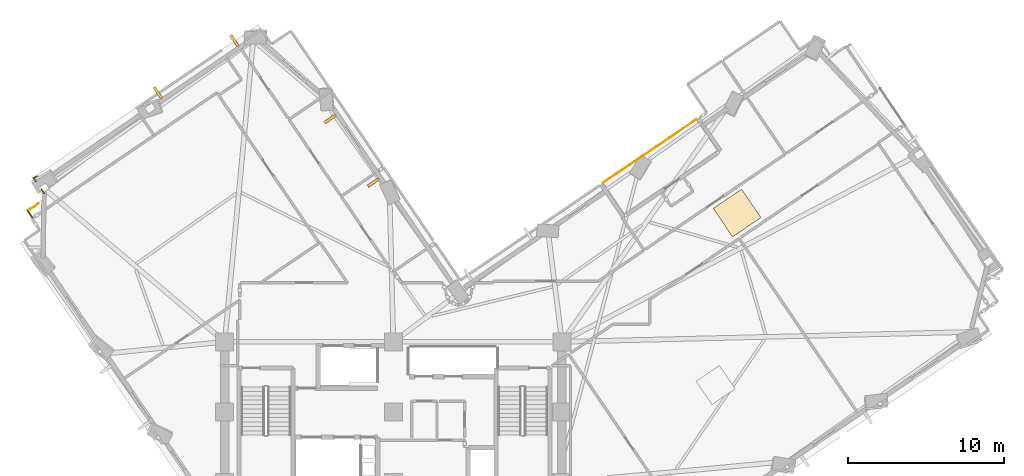
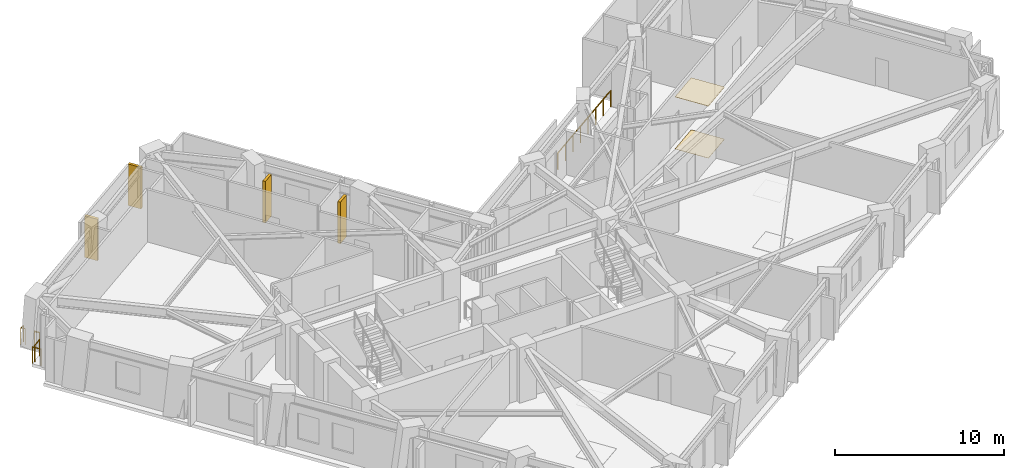
# One storey, part 15 of 16: 5 railings, 4 shading devices, 2 coverings.
"""IFC4 building model written with IfcOpenShell, lengths in metres."""

from ifc_helpers import new_model, si_unit, direction, frame, origin, origin_2d, place, context, subcontext, project, spatial, rectangle, circle, extrude, material, layer, layer_set, type_object, element, save


model = new_model("IFC4")

# Units and contexts
model_context = context("Model", 3, precision=1e-05, world=origin(), true_north=direction((0.0, 1.0)))
body_context = subcontext(model_context, "Body", "Model", "MODEL_VIEW")
ifc_project = project(units=[si_unit("LENGTHUNIT", "METRE"), si_unit("AREAUNIT", "SQUARE_METRE"), si_unit("VOLUMEUNIT", "CUBIC_METRE"), si_unit("PLANEANGLEUNIT", "RADIAN"), si_unit("MASSUNIT", "GRAM", prefix="KILO")], contexts=[model_context])

# Site, building, storey
site_placement = place(None, origin())
site = spatial("IfcSite", under=ifc_project, at=site_placement, CompositionType="ELEMENT")
building_placement = place(site_placement, origin())
building = spatial("IfcBuilding", under=site, at=building_placement, Name="Gaonmaruhae Medical Tower", CompositionType="ELEMENT")
storey_placement = place(building_placement, frame((0.0, 0.0, 169.800048828125)))
storey = spatial("IfcBuildingStorey", under=building, at=storey_placement, Name="L40", CompositionType="ELEMENT", Elevation=169.800048828125)

# Coverings
ifc_material_1 = material(Name="Acoustic mineral ceiling tile", Category="finish")
ifc_layer_1 = layer(ifc_material_1, 0.02490234375)
ifc_layer_set_1 = layer_set([ifc_layer_1], Name="Acoustic mineral ceiling tile")
covering_type_1 = type_object("IfcCoveringType", Name="CLG-01 Antimicrobial Acoustic Mineral Ceiling", PredefinedType="CEILING", material=ifc_layer_set_1)
covering_1_placement = place(storey_placement, frame((46.8203125, 25.048828125, 3.7548828125), z_axis=(0.0, 0.0, 1.0), x_axis=(0.827080574275, 0.562083377852, 0.0)))
element("IfcCovering", 1, at=covering_1_placement, inside=storey, type_object=covering_type_1, Name="L40 Clinical Corridor Acoustic Ceiling", PredefinedType="CEILING", context=body_context, shape_type="SweptSolid", body=[
    extrude(rectangle(XDim=2.199951171875, YDim=2.199951171875, at=origin_2d()), origin(), (0.0, 0.0, 1.0), 0.02490234375),
])
ifc_material_2 = material(Name="Seamless clinical vinyl flooring", Category="finish")
ifc_layer_2 = layer(ifc_material_2, 0.014892578125)
ifc_layer_set_2 = layer_set([ifc_layer_2], Name="Seamless clinical vinyl flooring")
covering_type_2 = type_object("IfcCoveringType", Name="FLR-01 Seamless Clinical Antistatic Vinyl Flooring", PredefinedType="FLOORING", material=ifc_layer_set_2)
covering_2_placement = place(storey_placement, frame((46.8203125, 25.048828125, 0.00048828125), z_axis=(0.0, 0.0, 1.0), x_axis=(0.827080574275, 0.562083377852, 0.0)))
element("IfcCovering", 2, at=covering_2_placement, inside=storey, type_object=covering_type_2, Name="L40 Clinical Corridor Vinyl Flooring", PredefinedType="FLOORING", context=body_context, shape_type="SweptSolid", body=[
    extrude(rectangle(XDim=2.199951171875, YDim=2.199951171875, at=origin_2d()), origin(), (0.0, 0.0, 1.0), 0.014892578125),
])

# Railings
ifc_material_3 = material(Name="Stainless steel 316L and laminated safety glass", Category="steel")
ifc_layer_3 = layer(ifc_material_3, 0.080078125)
ifc_layer_set_3 = layer_set([ifc_layer_3], Name="Stainless steel 316L and laminated safety glass")
railing_type = type_object("IfcRailingType", Name="GD-120 Outdoor Terrace Safety Glass & Steel Balustrade", PredefinedType="BALUSTRADE", material=ifc_layer_set_3)
railing_1_placement = place(storey_placement, frame((44.19970703125, 31.0361328125, 0.0)))
element("IfcRailing", 3, at=railing_1_placement, inside=storey, type_object=railing_type, Name="L40 Terrace Safety Guard RL-SLB-L40-TER-03", PredefinedType="BALUSTRADE", context=body_context, shape_type="SweptSolid", body=[
    extrude(circle(Radius=0.02392578125, at=origin_2d()), frame((0.0, 0.0, 1.17578125), z_axis=(-0.827092965562, -0.562065144193, 0.0), x_axis=(0.562065144193, -0.827092965562, 0.0)), (0.0, 0.0, 1.0), 7.199951171875),
    extrude(circle(Radius=0.02099609375, at=origin_2d()), origin(), (0.0, 0.0, 1.0), 1.15185546875),
    extrude(circle(Radius=0.02099609375, at=origin_2d()), frame((-0.850830078125, -0.578125, 0.0)), (0.0, 0.0, 1.0), 1.15185546875),
    extrude(circle(Radius=0.02099609375, at=origin_2d()), frame((-1.701416015625, -1.15625, 0.0)), (0.0, 0.0, 1.0), 1.15185546875),
    extrude(circle(Radius=0.02099609375, at=origin_2d()), frame((-2.55224609375, -1.734375, 0.0)), (0.0, 0.0, 1.0), 1.15185546875),
    extrude(circle(Radius=0.02099609375, at=origin_2d()), frame((-3.40283203125, -2.3125, 0.0)), (0.0, 0.0, 1.0), 1.15185546875),
    extrude(circle(Radius=0.02099609375, at=origin_2d()), frame((-4.253662109375, -2.890625, 0.0)), (0.0, 0.0, 1.0), 1.15185546875),
    extrude(circle(Radius=0.02099609375, at=origin_2d()), frame((-5.104248046875, -3.46875, 0.0)), (0.0, 0.0, 1.0), 1.15185546875),
    extrude(circle(Radius=0.02099609375, at=origin_2d()), frame((-5.955078125, -4.046875, 0.0)), (0.0, 0.0, 1.0), 1.15185546875),
])
railing_2_placement = place(storey_placement, frame((1.667724609375, 24.765380859375, 0.0)))
element("IfcRailing", 4, at=railing_2_placement, inside=storey, type_object=railing_type, Name="L40 Perimeter Slab Edge Safety Balustrade 05", PredefinedType="BALUSTRADE", context=body_context, shape_type="SweptSolid", body=[
    extrude(circle(Radius=0.02392578125, at=origin_2d()), frame((0.0, 0.0, 1.17578125), z_axis=(-0.562321944447, 0.826918394277, 0.0), x_axis=(-0.826918394277, -0.562321944447, 0.0)), (0.0, 0.0, 1.0), 0.56005859375),
    extrude(circle(Radius=0.02099609375, at=origin_2d()), origin(), (0.0, 0.0, 1.0), 1.15185546875),
    extrude(circle(Radius=0.02099609375, at=origin_2d()), frame((-0.31494140625, 0.463134765625, 0.0)), (0.0, 0.0, 1.0), 1.15185546875),
])
railing_3_placement = place(storey_placement, frame((1.53271484375, 25.290283203125, 0.0)))
element("IfcRailing", 5, at=railing_3_placement, inside=storey, type_object=railing_type, Name="L40 Perimeter Slab Edge Safety Balustrade 06", PredefinedType="BALUSTRADE", context=body_context, shape_type="SweptSolid", body=[
    extrude(circle(Radius=0.02392578125, at=origin_2d()), frame((0.0, 0.0, 1.17578125), z_axis=(0.827009044176, 0.562188616792, 0.0), x_axis=(-0.562188616792, 0.827009044176, 0.0)), (0.0, 0.0, 1.0), 0.66015625),
    extrude(circle(Radius=0.02099609375, at=origin_2d()), origin(), (0.0, 0.0, 1.0), 1.15185546875),
    extrude(circle(Radius=0.02099609375, at=origin_2d()), frame((0.5458984375, 0.37109375, 0.0)), (0.0, 0.0, 1.0), 1.15185546875),
])
railing_4_placement = place(storey_placement, frame((2.43994140625, 26.2978515625, 0.0)))
element("IfcRailing", 6, at=railing_4_placement, inside=storey, type_object=railing_type, Name="L40 Perimeter Slab Edge Safety Balustrade 07", PredefinedType="BALUSTRADE", context=body_context, shape_type="SweptSolid", body=[
    extrude(circle(Radius=0.02392578125, at=origin_2d()), frame((0.0, 0.0, 1.17578125), z_axis=(-0.562269118187, 0.82695431478, 0.0), x_axis=(-0.82695431478, -0.562269118187, 0.0)), (0.0, 0.0, 1.0), 0.326416015625),
    extrude(circle(Radius=0.02099609375, at=origin_2d()), origin(), (0.0, 0.0, 1.0), 1.15185546875),
    extrude(circle(Radius=0.02099609375, at=origin_2d()), frame((-0.18359375, 0.27001953125, 0.0)), (0.0, 0.0, 1.0), 1.15185546875),
])
railing_5_placement = place(storey_placement, frame((1.919189453125, 27.064208984375, 0.0)))
element("IfcRailing", 7, at=railing_5_placement, inside=storey, type_object=railing_type, Name="L40 Perimeter Corner Safety Balustrade 09", PredefinedType="BALUSTRADE", context=body_context, shape_type="SweptSolid", body=[
    extrude(circle(Radius=0.02392578125, at=origin_2d()), frame((0.0, 0.0, 1.17578125), z_axis=(-0.65880546552, 0.752313338045, 0.0), x_axis=(-0.752313338045, -0.65880546552, 0.0)), (0.0, 0.0, 1.0), 0.287109375),
    extrude(circle(Radius=0.02392578125, at=origin_2d()), frame((-0.189208984375, 0.216064453125, 1.17578125), z_axis=(0.889268043074, 0.457386431333, 0.0), x_axis=(-0.457386431333, 0.889268043074, 0.0)), (0.0, 0.0, 1.0), 0.287109375),
    extrude(circle(Radius=0.02099609375, at=origin_2d()), origin(), (0.0, 0.0, 1.0), 1.15185546875),
    extrude(circle(Radius=0.02099609375, at=origin_2d()), frame((-0.189208984375, 0.216064453125, 0.0)), (0.0, 0.0, 1.0), 1.15185546875),
    extrude(circle(Radius=0.02099609375, at=origin_2d()), frame((0.066162109375, 0.347412109375, 0.0)), (0.0, 0.0, 1.0), 1.15185546875),
])

# Shading devices
ifc_material_4 = material(Name="Pigmented coral precast concrete C45/55", Category="concrete")
shading_device_type = type_object("IfcShadingDeviceType", Name="SD-FIN1 Tower Vertical Coral Precast Shading Fin", PredefinedType="USERDEFINED", material=ifc_material_4)
for number, where, z_axis, x_axis, name in (
    (8, (23.522705078125, 27.005859375, 0.072509765625), (0.0, 0.0, 1.0), (-0.562083377852, 0.827080574275, 0.0), "L40 Vertical Coral Precast Shading Fin NE01"),
    (9, (20.755615234375, 31.077392578125, 0.072509765625), (0.0, 0.0, 1.0), (-0.562083377852, 0.827080574275, 0.0), "L40 Vertical Coral Precast Shading Fin NE01B"),
    (10, (9.720947265625, 32.747314453125, 0.08251953125), (0.0, 0.0, 1.0), (0.827080574275, 0.562083377852, 0.0), "L40 Vertical Coral Precast Shading Fin N01"),
    (11, (14.626220703125, 36.080810546875, 0.08251953125), (0.0, 0.0, 1.0), (0.827080574275, 0.562083377852, 0.0), "L40 Vertical Coral Precast Shading Fin N01B"),
):
    element("IfcShadingDevice", number, at=place(storey_placement, frame(where, z_axis=z_axis, x_axis=x_axis)), inside=storey, type_object=shading_device_type, Name=name, ObjectType="FIN", PredefinedType="USERDEFINED", context=body_context, shape_type="SweptSolid", body=[
        extrude(rectangle(XDim=0.179931640625, YDim=0.85009765625, at=origin_2d()), origin(), (0.0, 0.0, 1.0), 3.0),
    ])

save(model, "model.ifc")
